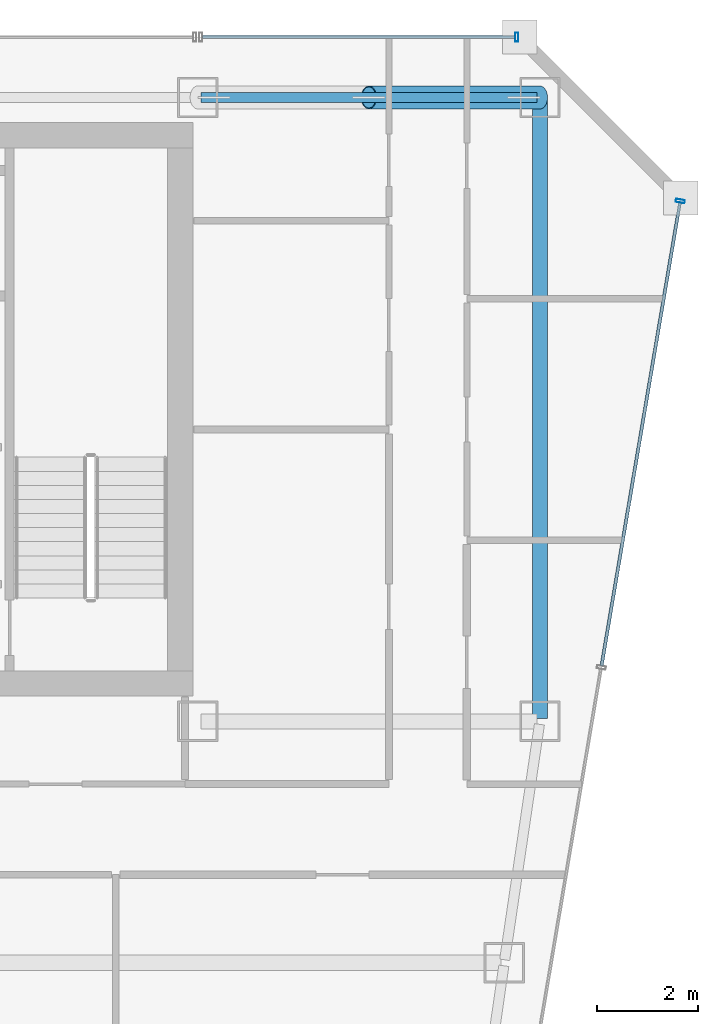
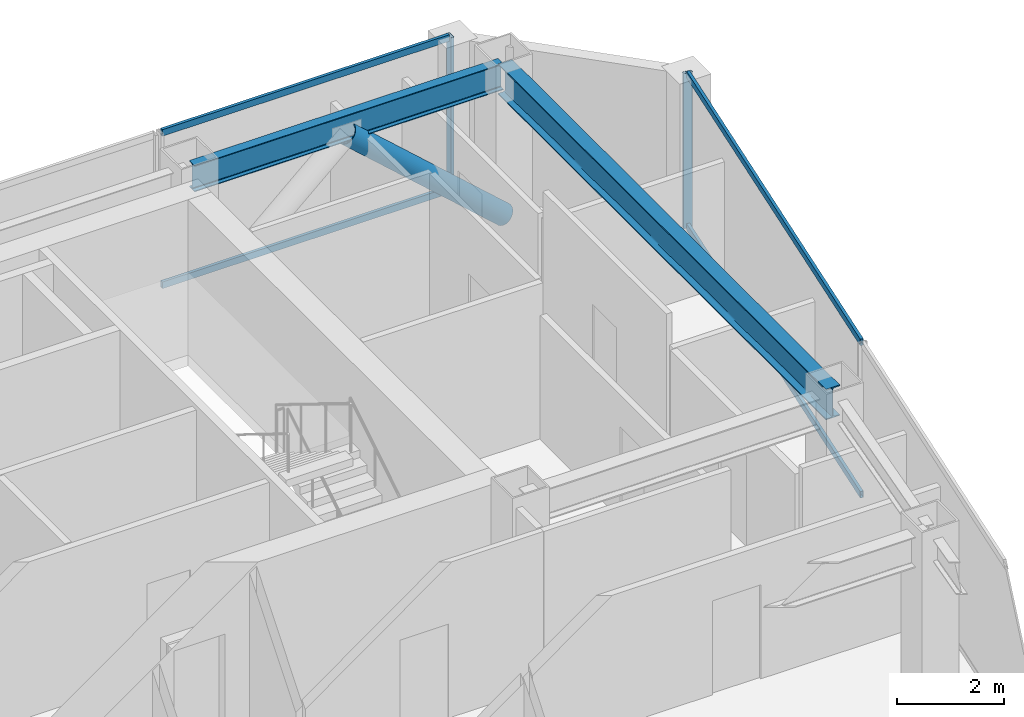
# One storey, part 27 of 35: 7 members, 2 beams, 2 elements without a shape of their own.
"""IFC4 building model written with IfcOpenShell, lengths in metres."""

import ifcopenshell
import ifcopenshell.guid

model = None  # the IFC model being written
_history = None  # IfcOwnerHistory: only IFC2X3 demands one
_inside = {}  # id of a spatial element -> (the spatial element, [elements in it])
_under = {}  # id of a project, library or spatial element -> (it, [spatial elements below it])
_declared = {}  # id of a project -> (the project, [libraries it declares])
_typed = {}  # id of a type object -> (the type object, [elements of that type])
_made_of = {}  # id of a material, layer set ... -> (it, [elements and type objects made of it])


def new_model(schema):
    """Start an empty IFC model of exactly this schema.

    Asked for "IFC4X3", IfcOpenShell would pick the latest addendum, in which some entities
    have other attributes; the version numbers below select the first issue.
    IFC2X3 requires an IfcOwnerHistory on every rooted entity: one is made here for all.
    """
    global model, _history
    if schema == "IFC4X3":
        model = ifcopenshell.file(schema_version=(4, 3, 0, 0))
    else:
        model = ifcopenshell.file(schema=schema)
    _inside.clear()
    _under.clear()
    _declared.clear()
    _typed.clear()
    _made_of.clear()
    _history = None
    if model.schema == "IFC2X3":
        org = make("IfcOrganization", Name="unknown")
        user = make(
            "IfcPersonAndOrganization",
            ThePerson=make("IfcPerson", FamilyName="unknown"),
            TheOrganization=org,
        )
        app = make(
            "IfcApplication",
            ApplicationDeveloper=org,
            Version="unknown",
            ApplicationFullName="unknown",
            ApplicationIdentifier="unknown",
        )
        _history = make(
            "IfcOwnerHistory",
            OwningUser=user,
            OwningApplication=app,
            ChangeAction="ADDED",
            CreationDate=0,
        )
    return model


def make(cls, **values):
    """One entity of the class cls with the attributes given. An attribute that is None is left unset."""
    return model.create_entity(
        cls, **{name: value for name, value in values.items() if value is not None}
    )


def rooted(cls, **values):
    """An entity with a GlobalId (a new one), such as an element, a storey or a relation."""
    return make(cls, GlobalId=ifcopenshell.guid.new(), OwnerHistory=_history, **values)


def si_unit(unit_type, name, prefix=None):
    """IfcSIUnit, for example si_unit("LENGTHUNIT", "METRE", prefix="MILLI")."""
    return make("IfcSIUnit", UnitType=unit_type, Prefix=prefix, Name=name)


def assignment(units):
    """IfcUnitAssignment: the units of a project."""
    return None if units is None else make("IfcUnitAssignment", Units=units)


def point(xyz):
    """IfcCartesianPoint."""
    return None if xyz is None else make("IfcCartesianPoint", Coordinates=xyz)


def direction(xyz):
    """IfcDirection."""
    return None if xyz is None else make("IfcDirection", DirectionRatios=xyz)


def frame(location, z_axis=None, x_axis=None):
    """IfcAxis2Placement3D, a coordinate frame: its origin and axes. An axis left out is left unset."""
    return make(
        "IfcAxis2Placement3D",
        Location=point(location),
        Axis=direction(z_axis),
        RefDirection=direction(x_axis),
    )


def frame_2d(location, x_axis=None):
    """IfcAxis2Placement2D, a coordinate frame in the plane: its origin and x axis."""
    return make(
        "IfcAxis2Placement2D", Location=point(location), RefDirection=direction(x_axis)
    )


def origin():
    """The frame at (0, 0, 0) with its axes left unset."""
    return frame((0.0, 0.0, 0.0))


def origin_2d():
    """The frame at (0, 0) in the plane with its x axis left unset."""
    return frame_2d((0.0, 0.0))


def place(relative_to, where):
    """IfcLocalPlacement: puts the frame where relative to a parent placement (None: the world)."""
    return make(
        "IfcLocalPlacement", PlacementRelTo=relative_to, RelativePlacement=where
    )


def context(
    kind, dimensions, precision=None, world=None, true_north=None, identifier=None
):
    """IfcGeometricRepresentationContext, for example the 3D "Model" context."""
    return make(
        "IfcGeometricRepresentationContext",
        ContextIdentifier=identifier,
        ContextType=kind,
        CoordinateSpaceDimension=dimensions,
        Precision=precision,
        WorldCoordinateSystem=world,
        TrueNorth=true_north,
    )


def subcontext(parent, identifier, kind, view, scale=None):
    """IfcGeometricRepresentationSubContext, for example "Body" below "Model"."""
    return make(
        "IfcGeometricRepresentationSubContext",
        ContextIdentifier=identifier,
        ContextType=kind,
        ParentContext=parent,
        TargetScale=scale,
        TargetView=view,
    )


def project(units=None, contexts=None):
    """IfcProject with its units and contexts."""
    return rooted(
        "IfcProject",
        Name="project",
        RepresentationContexts=contexts,
        UnitsInContext=assignment(units),
    )


def spatial(cls, under=None, at=None, **own):
    """A site, building, storey or space (cls), placed at a placement, below another one or the project."""
    s = rooted(cls, ObjectPlacement=at, **own)
    if under is not None:
        _under.setdefault(under.id(), (under, []))[1].append(s)
    return s


def profile(cls, at=None, kind="AREA", **sizes):
    """A parametric profile (cls). Its sizes go by their IFC names, for example OverallWidth=200.0."""
    return make(cls, ProfileType=kind, Position=at, **sizes)


def hollow_rectangle(**sizes):
    """IfcRectangleHollowProfileDef."""
    return profile("IfcRectangleHollowProfileDef", **sizes)


def hollow_circle(**sizes):
    """IfcCircleHollowProfileDef."""
    return profile("IfcCircleHollowProfileDef", **sizes)


def i_section(**sizes):
    """IfcIShapeProfileDef."""
    return profile("IfcIShapeProfileDef", **sizes)


def extrude(swept, where, along, depth):
    """IfcExtrudedAreaSolid: the profile swept, set in the frame where, extruded along a direction by depth."""
    return make(
        "IfcExtrudedAreaSolid",
        SweptArea=swept,
        Position=where,
        ExtrudedDirection=direction(along),
        Depth=depth,
    )


def shape(context_of_items, identifier, shape_type, items):
    """IfcShapeRepresentation: the items that make up one representation, for example the "Body"."""
    return make(
        "IfcShapeRepresentation",
        ContextOfItems=context_of_items,
        RepresentationIdentifier=identifier,
        RepresentationType=shape_type,
        Items=items,
    )


def material(Name=None, Category=None):
    """IfcMaterial."""
    return make("IfcMaterial", Name=Name, Category=Category)


def material_profile(
    of_material, cross_section, Name=None, Category=None, Priority=None
):
    """IfcMaterialProfile: a cross section and its material."""
    return make(
        "IfcMaterialProfile",
        Name=Name,
        Material=of_material,
        Profile=cross_section,
        Priority=Priority,
        Category=Category,
    )


def profile_set(profiles, Name=None, composite=None):
    """IfcMaterialProfileSet."""
    return make(
        "IfcMaterialProfileSet",
        Name=Name,
        MaterialProfiles=profiles,
        CompositeProfile=composite,
    )


def made_of(thing, what):
    """Note that an element or type object is made of a material, layer set ...; save() writes the relation."""
    if what is not None:
        _made_of.setdefault(what.id(), (what, []))[1].append(thing)
    return thing


def type_object(cls, material=None, **own):
    """A type object (cls), such as IfcWallType, which elements share."""
    return made_of(rooted(cls, **own), material)


def element(
    cls,
    number,
    at=None,
    inside=None,
    cuts=None,
    type_object=None,
    material=None,
    context=None,
    identifier="Body",
    shape_type=None,
    held_by="IfcProductDefinitionShape",
    body=None,
    shapes=None,
    **own,
):
    """One element of the class cls, such as IfcWall. Its Tag is "e" and its number.

    at: its placement. inside: the storey or other place that contains it. cuts: it is an
    opening in that element (IfcRelVoidsElement). A single representation is given by context,
    identifier, shape_type and body (its items); several are given by shapes. held_by: the class
    of the entity that holds the representations. save() writes the other relations.
    """
    e = rooted(cls, Tag="e%d" % number, ObjectPlacement=at, **own)
    if body is not None:
        shapes = [shape(context, identifier, shape_type, body)]
    if shapes is not None:
        e.Representation = make(held_by, Representations=shapes)
    if inside is not None:
        _inside.setdefault(inside.id(), (inside, []))[1].append(e)
    if cuts is not None:
        rooted(
            "IfcRelVoidsElement", RelatingBuildingElement=cuts, RelatedOpeningElement=e
        )
    if type_object is not None:
        _typed.setdefault(type_object.id(), (type_object, []))[1].append(e)
    return made_of(e, material)


def aggregate(whole, parts):
    """IfcRelAggregates: a whole, such as a stair, and the parts it consists of."""
    return rooted("IfcRelAggregates", RelatingObject=whole, RelatedObjects=parts)


def save(model, path):
    """Write the relations noted so far, then the file.

    IfcRelAggregates (storeys below a building ...), IfcRelContainedInSpatialStructure (elements
    in a storey), IfcRelDefinesByType, IfcRelAssociatesMaterial and IfcRelDeclares: one each for
    every whole, place, type object, material and project.
    """
    for whole, parts in _under.values():
        aggregate(whole, parts)
    for where, things in _inside.values():
        rooted(
            "IfcRelContainedInSpatialStructure",
            RelatedElements=things,
            RelatingStructure=where,
        )
    for kind, things in _typed.values():
        rooted("IfcRelDefinesByType", RelatedObjects=things, RelatingType=kind)
    for what, things in _made_of.values():
        rooted("IfcRelAssociatesMaterial", RelatedObjects=things, RelatingMaterial=what)
    for by, libraries in _declared.values():
        rooted("IfcRelDeclares", RelatingContext=by, RelatedDefinitions=libraries)
    model.write(path)


model = new_model("IFC4")

# Units and contexts
model_context = context("Model", 3, precision=1e-05, world=origin(), true_north=direction((0.0, 1.0)))
body_context = subcontext(model_context, "Body", "Model", "MODEL_VIEW")
ifc_project = project(units=[si_unit("LENGTHUNIT", "METRE"), si_unit("AREAUNIT", "SQUARE_METRE"), si_unit("VOLUMEUNIT", "CUBIC_METRE"), si_unit("PLANEANGLEUNIT", "RADIAN"), si_unit("MASSUNIT", "GRAM", prefix="KILO")], contexts=[model_context])

# Site, building, storey
site_placement = place(None, origin())
site = spatial("IfcSite", under=ifc_project, at=site_placement, CompositionType="ELEMENT")
building_placement = place(site_placement, origin())
building = spatial("IfcBuilding", under=site, at=building_placement, Name="Saevonmaru Cultural Tower", CompositionType="ELEMENT")
storey_placement = place(building_placement, frame((0.0, 0.0, 190.39990234375)))
storey = spatial("IfcBuildingStorey", under=building, at=storey_placement, Name="L43", CompositionType="ELEMENT", Elevation=190.39990234375)

# Beams
ifc_material_1 = material(Name="Steel SM355", Category="steel")
ifc_material_profile_1 = material_profile(ifc_material_1, i_section(OverallWidth=0.300048828125, OverallDepth=0.699951171875, WebThickness=0.012939453125, FlangeThickness=0.02392578125, FilletRadius=0.02587890625, at=origin_2d()), Name="H-700x300x13x24")
ifc_profile_set_1 = profile_set([ifc_material_profile_1], Name="Steel SM355")
beam_type_1 = type_object("IfcBeamType", Name="BM-G-H700", PredefinedType="BEAM", material=ifc_profile_set_1)
beam_1_placement = place(storey_placement, frame((53.199951171875, 54.739990234375, 3.2001953125), z_axis=(0.0, -1.0, 0.0), x_axis=(1.0, 0.0, 0.0)))
element("IfcBeam", 1, at=beam_1_placement, inside=storey, type_object=beam_type_1, Name="L43 Spine Transverse Girder E", PredefinedType="BEAM", context=body_context, shape_type="SweptSolid", body=[
    extrude(i_section(OverallWidth=0.300048828125, OverallDepth=0.699951171875, WebThickness=0.012939453125, FlangeThickness=0.02392578125, FilletRadius=0.02587890625, at=origin_2d()), origin(), (0.0, 0.0, 1.0), 12.280029296875),
])
ifc_material_profile_2 = material_profile(ifc_material_1, i_section(OverallWidth=0.199951171875, OverallDepth=0.60009765625, WebThickness=0.010986328125, FlangeThickness=0.01708984375, FilletRadius=0.02197265625, at=origin_2d()), Name="H-600x200x11x17")
ifc_profile_set_2 = profile_set([ifc_material_profile_2], Name="Steel SM355")
beam_type_2 = type_object("IfcBeamType", Name="BM-SP-H600", PredefinedType="SPANDREL", material=ifc_profile_set_2)
beam_2_placement = place(storey_placement, frame((46.4599609375, 54.800048828125, 3.25), z_axis=(1.0, 0.0, 0.0), x_axis=(0.0, 1.0, 0.0)))
element("IfcBeam", 2, at=beam_2_placement, inside=storey, type_object=beam_type_2, Name="L43 North Spine Girder 5", PredefinedType="SPANDREL", context=body_context, shape_type="SweptSolid", body=[
    extrude(i_section(OverallWidth=0.199951171875, OverallDepth=0.60009765625, WebThickness=0.010986328125, FlangeThickness=0.01708984375, FilletRadius=0.02197265625, at=origin_2d()), origin(), (0.0, 0.0, 1.0), 6.679931640625),
])

# Member
ifc_material_2 = material(Name="Steel SM420", Category="steel")
ifc_material_profile_3 = material_profile(ifc_material_2, hollow_circle(Radius=0.228515625, WallThickness=0.02001953125, at=origin_2d()), Name="CHS-457.2x20")
ifc_profile_set_3 = profile_set([ifc_material_profile_3], Name="Steel SM420")
member_type_1 = type_object("IfcMemberType", Name="MB-PBR-CHS457", PredefinedType="BRACE", material=ifc_profile_set_3)
member_1_placement = place(storey_placement, frame((53.199951171875, 54.800048828125, 0.02001953125), z_axis=(-0.744366945704, 0.0, 0.667770806597), x_axis=(0.0, -1.0, 0.0)))
element("IfcMember", 3, at=member_1_placement, inside=storey, type_object=member_type_1, Name="L43 Perimeter Braced-Tube Diagonal EN2", PredefinedType="BRACE", context=body_context, shape_type="SweptSolid", body=[
    extrude(hollow_circle(Radius=0.228515625, WallThickness=0.02001953125, at=origin_2d()), origin(), (0.0, 0.0, 1.0), 4.567626953125),
])

# Curtain wall, member
ifc_material_3 = material(Name="Satin Bronze Anodised Aluminium", Category="aluminium")
curtain_wall_type = type_object("IfcCurtainWallType", Name="CW-TYP-B", PredefinedType="NOTDEFINED", material=ifc_material_3)
curtain_wall_1_placement = place(storey_placement, origin())
curtain_wall_1 = element("IfcCurtainWall", 4, at=curtain_wall_1_placement, inside=storey, type_object=curtain_wall_type, Name="L43 Unitised Curtain Wall E8", PredefinedType="NOTDEFINED")
ifc_material_profile_4 = material_profile(ifc_material_3, hollow_rectangle(XDim=0.06494140625, YDim=0.179931640625, WallThickness=0.00390625, at=origin_2d()), Name="ALU-MULL-180x65x4")
ifc_profile_set_4 = profile_set([ifc_material_profile_4], Name="Satin Bronze Anodised Aluminium")
member_type_2 = type_object("IfcMemberType", Name="ML-CW-180x65", PredefinedType="MULLION", material=ifc_profile_set_4)
member_2_placement = place(storey_placement, frame((55.989990234375, 52.74072265625, 0.0), z_axis=(0.0, 0.0, 1.0), x_axis=(0.16692169721, 0.985970155228, 0.0)))
member_2 = element("IfcMember", 5, at=member_2_placement, type_object=member_type_2, Name="CW-TW-L43-E8 mullion 5", PredefinedType="MULLION", context=body_context, shape_type="SweptSolid", body=[
    extrude(hollow_rectangle(XDim=0.06494140625, YDim=0.179931640625, WallThickness=0.00390625, at=origin_2d()), origin(), (0.0, 0.0, 1.0), 3.550048828125),
])

curtain_wall_2_placement = place(storey_placement, origin())
curtain_wall_2 = element("IfcCurtainWall", 6, at=curtain_wall_2_placement, inside=storey, type_object=curtain_wall_type, Name="L43 East Braced Bay Spandrel Curtain Wall E10A", PredefinedType="NOTDEFINED")
member_3_placement = place(storey_placement, frame((52.739990234375, 56.0, 0.0), z_axis=(0.0, 0.0, 1.0), x_axis=(-1.0, 0.0, 0.0)))
member_3 = element("IfcMember", 7, at=member_3_placement, type_object=member_type_2, Name="CW-TW-L43-E10A mullion 1", PredefinedType="MULLION", context=body_context, shape_type="SweptSolid", body=[
    extrude(hollow_rectangle(XDim=0.06494140625, YDim=0.179931640625, WallThickness=0.00390625, at=origin_2d()), origin(), (0.0, 0.0, 1.0), 3.550048828125),
])

# Member
ifc_material_profile_5 = material_profile(ifc_material_3, hollow_rectangle(XDim=0.06494140625, YDim=0.14990234375, WallThickness=0.00390625, at=origin_2d()), Name="ALU-TRAN-150x65x4")
ifc_profile_set_5 = profile_set([ifc_material_profile_5], Name="Satin Bronze Anodised Aluminium")
member_type_3 = type_object("IfcMemberType", Name="TR-CW-150x65", PredefinedType="USERDEFINED", material=ifc_profile_set_5)
member_4_placement = place(storey_placement, frame((54.426025390625, 43.50244140625, 0.03271484375), z_axis=(0.166921263871, 0.985970228591, 0.0), x_axis=(-0.985970228591, 0.166921263871, 0.0)))
member_4 = element("IfcMember", 8, at=member_4_placement, type_object=member_type_3, Name="CW-TW-L43-E8 transom 4.1", ObjectType="TRANSOM", PredefinedType="USERDEFINED", context=body_context, shape_type="SweptSolid", body=[
    extrude(hollow_rectangle(XDim=0.06494140625, YDim=0.14990234375, WallThickness=0.00390625, at=origin_2d()), origin(), (0.0, 0.0, 1.0), 9.33740234375),
])

member_5_placement = place(storey_placement, frame((54.426025390625, 43.50244140625, 3.517578125), z_axis=(0.166921263871, 0.985970228591, 0.0), x_axis=(-0.985970228591, 0.166921263871, 0.0)))
member_5 = element("IfcMember", 9, at=member_5_placement, type_object=member_type_3, Name="CW-TW-L43-E8 transom 4.2", ObjectType="TRANSOM", PredefinedType="USERDEFINED", context=body_context, shape_type="SweptSolid", body=[
    extrude(hollow_rectangle(XDim=0.06494140625, YDim=0.14990234375, WallThickness=0.00390625, at=origin_2d()), origin(), (0.0, 0.0, 1.0), 9.33740234375),
])

aggregate(curtain_wall_1, [member_2, member_4, member_5])

member_6_placement = place(storey_placement, frame((52.70751953125, 56.0, 0.03271484375), z_axis=(-1.0, 0.0, 0.0), x_axis=(0.0, -1.0, 0.0)))
member_6 = element("IfcMember", 10, at=member_6_placement, type_object=member_type_3, Name="CW-TW-L43-E10A transom 1.1", ObjectType="TRANSOM", PredefinedType="USERDEFINED", context=body_context, shape_type="SweptSolid", body=[
    extrude(hollow_rectangle(XDim=0.06494140625, YDim=0.14990234375, WallThickness=0.00390625, at=origin_2d()), origin(), (0.0, 0.0, 1.0), 6.215087890625),
])

member_7_placement = place(storey_placement, frame((52.70751953125, 56.0, 3.517578125), z_axis=(-1.0, 0.0, 0.0), x_axis=(0.0, -1.0, 0.0)))
member_7 = element("IfcMember", 11, at=member_7_placement, type_object=member_type_3, Name="CW-TW-L43-E10A transom 1.2", ObjectType="TRANSOM", PredefinedType="USERDEFINED", context=body_context, shape_type="SweptSolid", body=[
    extrude(hollow_rectangle(XDim=0.06494140625, YDim=0.14990234375, WallThickness=0.00390625, at=origin_2d()), origin(), (0.0, 0.0, 1.0), 6.215087890625),
])

aggregate(curtain_wall_2, [member_3, member_6, member_7])

save(model, "model.ifc")
